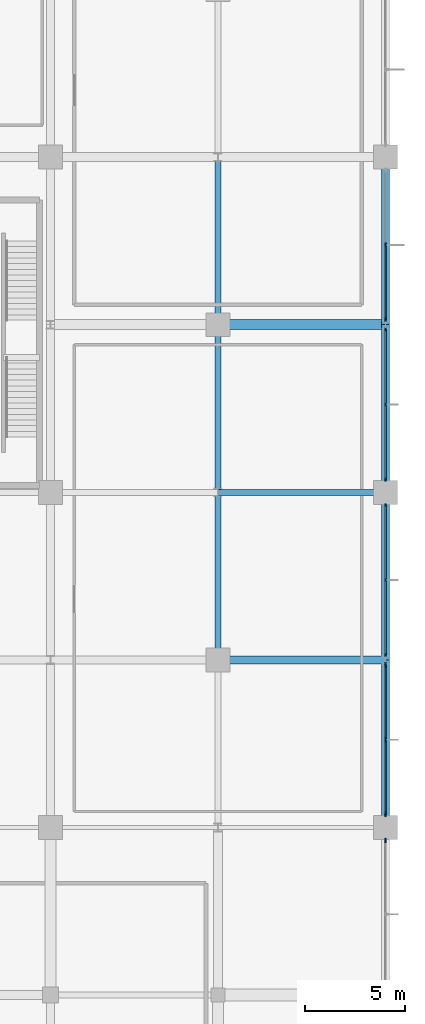
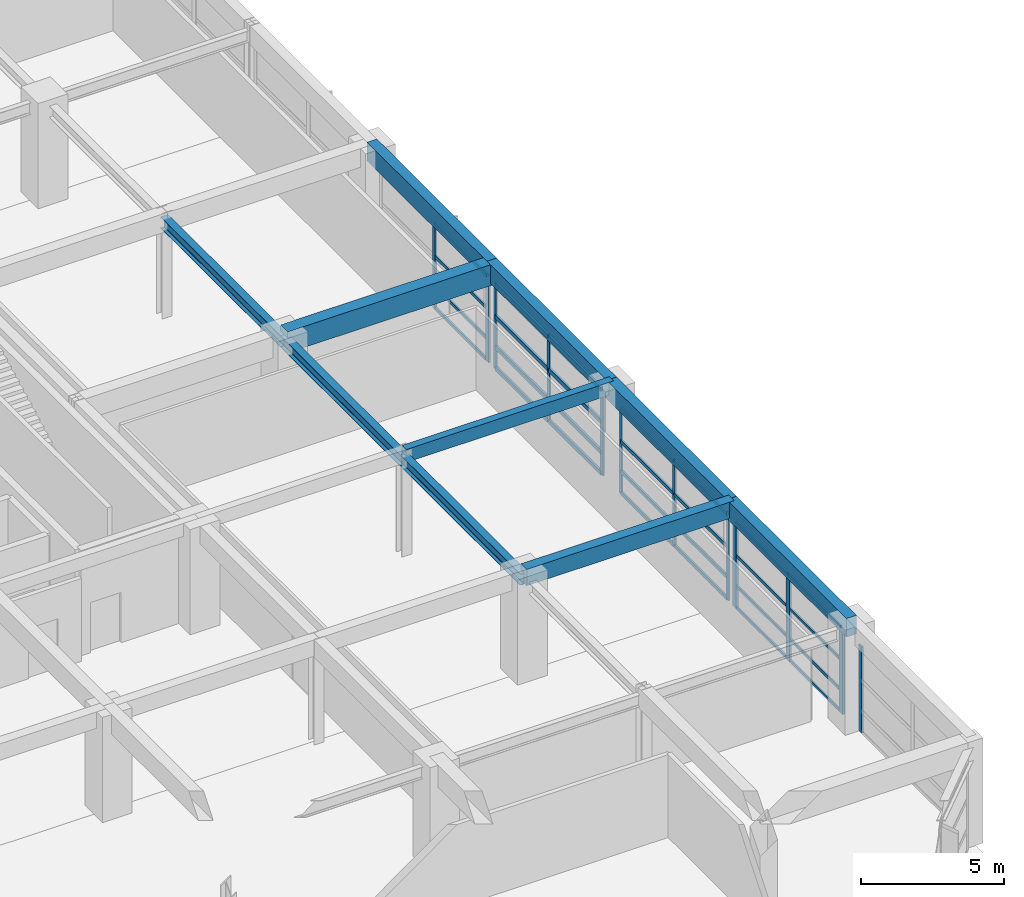
# One storey, part 31 of 60: 40 members, 10 beams, 5 elements without a shape of their own.
"""IFC4 building model written with IfcOpenShell, lengths in metres."""

from ifc_helpers import new_model, si_unit, direction, frame, origin, origin_2d, place, context, subcontext, project, spatial, rectangle, i_section, extrude, material, material_profile, profile_set, type_object, element, aggregate, save


model = new_model("IFC4")

# Units and contexts
model_context = context("Model", 3, precision=1e-05, world=origin(), true_north=direction((0.0, 1.0)))
body_context = subcontext(model_context, "Body", "Model", "MODEL_VIEW")
ifc_project = project(units=[si_unit("LENGTHUNIT", "METRE"), si_unit("AREAUNIT", "SQUARE_METRE"), si_unit("VOLUMEUNIT", "CUBIC_METRE"), si_unit("PLANEANGLEUNIT", "RADIAN"), si_unit("MASSUNIT", "GRAM", prefix="KILO")], contexts=[model_context])

# Site, building, storey
site_placement = place(None, origin())
site = spatial("IfcSite", under=ifc_project, at=site_placement, CompositionType="ELEMENT")
building_placement = place(site_placement, origin())
building = spatial("IfcBuilding", under=site, at=building_placement, Name="Xuanlan Plaza Opera House", CompositionType="ELEMENT")
storey_placement = place(building_placement, frame((0.0, 0.0, 9.89990234375)))
storey = spatial("IfcBuildingStorey", under=building, at=storey_placement, Name="L02", CompositionType="ELEMENT", Elevation=9.89990234375)

# Curtain wall, members
ifc_material_1 = material(Name="Anodised Aluminium 6063-T6 and Low-E Glass", Category="aluminium")
curtain_wall_type_1 = type_object("IfcCurtainWallType", Name="ENV-CW-CW-02", PredefinedType="USERDEFINED", material=ifc_material_1)
curtain_wall_1_placement = place(storey_placement, origin())
curtain_wall_1 = element("IfcCurtainWall", 1, at=curtain_wall_1_placement, inside=storey, type_object=curtain_wall_type_1, Name="Unitised Curtain Wall L02-022", ObjectType="UNITISED CURTAIN WALL", PredefinedType="USERDEFINED")
ifc_material_2 = material(Name="Anodised Aluminium 6063-T6", Category="aluminium")
ifc_material_profile_1 = material_profile(ifc_material_2, rectangle(XDim=0.06494140625, YDim=0.159912109375, at=origin_2d()), Name="ALU-M 65x160")
ifc_profile_set_1 = profile_set([ifc_material_profile_1], Name="Anodised Aluminium 6063-T6")
member_type_1 = type_object("IfcMemberType", Name="ENV-CWM-01", PredefinedType="MULLION", material=ifc_profile_set_1)
member_1_placement = place(storey_placement, frame((168.0, 42.259521484375, 0.0), z_axis=(0.0, 0.0, 1.0), x_axis=(-1.0, 0.0, 0.0)))
member_1 = element("IfcMember", 2, at=member_1_placement, type_object=member_type_1, Name="CW-02 mullion 1", PredefinedType="MULLION", context=body_context, shape_type="SweptSolid", body=[
    extrude(rectangle(XDim=0.06494140625, YDim=0.159912109375, at=origin_2d()), origin(), (0.0, 0.0, 1.0), 3.68017578125),
])
member_2_placement = place(storey_placement, frame((168.0, 46.00341796875, 0.0), z_axis=(0.0, 0.0, 1.0), x_axis=(-1.0, 0.0, 0.0)))
member_2 = element("IfcMember", 3, at=member_2_placement, type_object=member_type_1, Name="CW-02 mullion 2", PredefinedType="MULLION", context=body_context, shape_type="SweptSolid", body=[
    extrude(rectangle(XDim=0.06494140625, YDim=0.159912109375, at=origin_2d()), origin(), (0.0, 0.0, 1.0), 3.68017578125),
])
member_3_placement = place(storey_placement, frame((168.0, 49.74755859375, 0.0), z_axis=(0.0, 0.0, 1.0), x_axis=(-1.0, 0.0, 0.0)))
member_3 = element("IfcMember", 4, at=member_3_placement, type_object=member_type_1, Name="CW-02 mullion 3", PredefinedType="MULLION", context=body_context, shape_type="SweptSolid", body=[
    extrude(rectangle(XDim=0.06494140625, YDim=0.159912109375, at=origin_2d()), origin(), (0.0, 0.0, 1.0), 3.68017578125),
])

curtain_wall_type_2 = type_object("IfcCurtainWallType", Name="ENV-CW-CW-03", PredefinedType="USERDEFINED", material=ifc_material_1)
curtain_wall_2_placement = place(storey_placement, origin())
curtain_wall_2 = element("IfcCurtainWall", 5, at=curtain_wall_2_placement, inside=storey, type_object=curtain_wall_type_2, Name="Unitised Curtain Wall L02-023", ObjectType="UNITISED CURTAIN WALL", PredefinedType="USERDEFINED")
ifc_material_profile_2 = material_profile(ifc_material_2, rectangle(XDim=0.070068359375, YDim=0.179931640625, at=origin_2d()), Name="ALU-M 70x180")
ifc_profile_set_2 = profile_set([ifc_material_profile_2], Name="Anodised Aluminium 6063-T6")
member_type_2 = type_object("IfcMemberType", Name="ENV-CWM-02", PredefinedType="MULLION", material=ifc_profile_set_2)
member_4_placement = place(storey_placement, frame((168.0, 51.054931640625, 0.0), z_axis=(0.0, 0.0, 1.0), x_axis=(-1.0, 0.0, 0.0)))
member_4 = element("IfcMember", 6, at=member_4_placement, type_object=member_type_2, Name="CW-03 mullion 1", PredefinedType="MULLION", context=body_context, shape_type="SweptSolid", body=[
    extrude(rectangle(XDim=0.070068359375, YDim=0.179931640625, at=origin_2d()), origin(), (0.0, 0.0, 1.0), 3.68017578125),
])
member_5_placement = place(storey_placement, frame((168.0, 54.79638671875, 0.0), z_axis=(0.0, 0.0, 1.0), x_axis=(-1.0, 0.0, 0.0)))
member_5 = element("IfcMember", 7, at=member_5_placement, type_object=member_type_2, Name="CW-03 mullion 2", PredefinedType="MULLION", context=body_context, shape_type="SweptSolid", body=[
    extrude(rectangle(XDim=0.070068359375, YDim=0.179931640625, at=origin_2d()), origin(), (0.0, 0.0, 1.0), 3.68017578125),
])
member_6_placement = place(storey_placement, frame((168.0, 58.5380859375, 0.0), z_axis=(0.0, 0.0, 1.0), x_axis=(-1.0, 0.0, 0.0)))
member_6 = element("IfcMember", 8, at=member_6_placement, type_object=member_type_2, Name="CW-03 mullion 3", PredefinedType="MULLION", context=body_context, shape_type="SweptSolid", body=[
    extrude(rectangle(XDim=0.070068359375, YDim=0.179931640625, at=origin_2d()), origin(), (0.0, 0.0, 1.0), 3.68017578125),
])

curtain_wall_type_3 = type_object("IfcCurtainWallType", Name="ENV-CW-CW-04", PredefinedType="USERDEFINED", material=ifc_material_1)
curtain_wall_3_placement = place(storey_placement, origin())
curtain_wall_3 = element("IfcCurtainWall", 9, at=curtain_wall_3_placement, inside=storey, type_object=curtain_wall_type_3, Name="Unitised Curtain Wall L02-024", ObjectType="UNITISED CURTAIN WALL", PredefinedType="USERDEFINED")
ifc_material_profile_3 = material_profile(ifc_material_2, rectangle(XDim=0.074951171875, YDim=0.199951171875, at=origin_2d()), Name="ALU-M 75x200")
ifc_profile_set_3 = profile_set([ifc_material_profile_3], Name="Anodised Aluminium 6063-T6")
member_type_3 = type_object("IfcMemberType", Name="ENV-CWM-03", PredefinedType="MULLION", material=ifc_profile_set_3)
member_7_placement = place(storey_placement, frame((168.0, 59.064453125, 0.0), z_axis=(0.0, 0.0, 1.0), x_axis=(-1.0, 0.0, 0.0)))
member_7 = element("IfcMember", 10, at=member_7_placement, type_object=member_type_3, Name="CW-04 mullion 1", PredefinedType="MULLION", context=body_context, shape_type="SweptSolid", body=[
    extrude(rectangle(XDim=0.074951171875, YDim=0.199951171875, at=origin_2d()), origin(), (0.0, 0.0, 1.0), 3.68017578125),
])
member_8_placement = place(storey_placement, frame((168.0, 62.803466796875, 0.0), z_axis=(0.0, 0.0, 1.0), x_axis=(-1.0, 0.0, 0.0)))
member_8 = element("IfcMember", 11, at=member_8_placement, type_object=member_type_3, Name="CW-04 mullion 2", PredefinedType="MULLION", context=body_context, shape_type="SweptSolid", body=[
    extrude(rectangle(XDim=0.074951171875, YDim=0.199951171875, at=origin_2d()), origin(), (0.0, 0.0, 1.0), 3.68017578125),
])

# Curtain wall, member
curtain_wall_4_placement = place(storey_placement, origin())
curtain_wall_4 = element("IfcCurtainWall", 12, at=curtain_wall_4_placement, inside=storey, type_object=curtain_wall_type_3, Name="Unitised Curtain Wall L02-020", ObjectType="UNITISED CURTAIN WALL", PredefinedType="USERDEFINED")
ifc_material_profile_4 = material_profile(ifc_material_2, rectangle(XDim=0.080078125, YDim=0.219970703125, at=origin_2d()), Name="ALU-M 80x220")
ifc_profile_set_4 = profile_set([ifc_material_profile_4], Name="Anodised Aluminium 6063-T6")
member_type_4 = type_object("IfcMemberType", Name="ENV-CWM-04", PredefinedType="MULLION", material=ifc_profile_set_4)
member_9_placement = place(storey_placement, frame((168.0, 32.93994140625, 0.0), z_axis=(0.0, 0.0, 1.0), x_axis=(-1.0, 0.0, 0.0)))
member_9 = element("IfcMember", 13, at=member_9_placement, type_object=member_type_4, Name="CW-04 mullion 3", PredefinedType="MULLION", context=body_context, shape_type="SweptSolid", body=[
    extrude(rectangle(XDim=0.080078125, YDim=0.219970703125, at=origin_2d()), origin(), (0.0, 0.0, 1.0), 3.68017578125),
])
aggregate(curtain_wall_4, [member_9])

# Curtain wall, members
curtain_wall_type_4 = type_object("IfcCurtainWallType", Name="ENV-CW-CW-01", PredefinedType="USERDEFINED", material=ifc_material_1)
curtain_wall_5_placement = place(storey_placement, origin())
curtain_wall_5 = element("IfcCurtainWall", 14, at=curtain_wall_5_placement, inside=storey, type_object=curtain_wall_type_4, Name="Unitised Curtain Wall L02-021", ObjectType="UNITISED CURTAIN WALL", PredefinedType="USERDEFINED")
ifc_material_profile_5 = material_profile(ifc_material_2, rectangle(XDim=0.090087890625, YDim=0.25, at=origin_2d()), Name="ALU-M 90x250")
ifc_profile_set_5 = profile_set([ifc_material_profile_5], Name="Anodised Aluminium 6063-T6")
member_type_5 = type_object("IfcMemberType", Name="ENV-CWM-05", PredefinedType="MULLION", material=ifc_profile_set_5)
member_10_placement = place(storey_placement, frame((168.0, 34.264892578125, 0.0), z_axis=(0.0, 0.0, 1.0), x_axis=(-1.0, 0.0, 0.0)))
member_10 = element("IfcMember", 15, at=member_10_placement, type_object=member_type_5, Name="CW-01 mullion 1", PredefinedType="MULLION", context=body_context, shape_type="SweptSolid", body=[
    extrude(rectangle(XDim=0.090087890625, YDim=0.25, at=origin_2d()), origin(), (0.0, 0.0, 1.0), 3.68017578125),
])
member_11_placement = place(storey_placement, frame((168.0, 37.99658203125, 0.0), z_axis=(0.0, 0.0, 1.0), x_axis=(-1.0, 0.0, 0.0)))
member_11 = element("IfcMember", 16, at=member_11_placement, type_object=member_type_5, Name="CW-01 mullion 2", PredefinedType="MULLION", context=body_context, shape_type="SweptSolid", body=[
    extrude(rectangle(XDim=0.090087890625, YDim=0.25, at=origin_2d()), origin(), (0.0, 0.0, 1.0), 3.68017578125),
])
member_12_placement = place(storey_placement, frame((168.0, 41.72802734375, 0.0), z_axis=(0.0, 0.0, 1.0), x_axis=(-1.0, 0.0, 0.0)))
member_12 = element("IfcMember", 17, at=member_12_placement, type_object=member_type_5, Name="CW-01 mullion 3", PredefinedType="MULLION", context=body_context, shape_type="SweptSolid", body=[
    extrude(rectangle(XDim=0.090087890625, YDim=0.25, at=origin_2d()), origin(), (0.0, 0.0, 1.0), 3.68017578125),
])
ifc_material_profile_6 = material_profile(ifc_material_2, rectangle(XDim=0.06494140625, YDim=0.1201171875, at=origin_2d()), Name="ALU-T 65x120")
ifc_profile_set_6 = profile_set([ifc_material_profile_6], Name="Anodised Aluminium 6063-T6")
member_type_6 = type_object("IfcMemberType", Name="ENV-CWT-01", PredefinedType="USERDEFINED", material=ifc_profile_set_6)
member_13_placement = place(storey_placement, frame((168.0, 34.31005859375, 0.03271484375), z_axis=(0.0, 1.0, 0.0), x_axis=(-1.0, 0.0, 0.0)))
member_13 = element("IfcMember", 18, at=member_13_placement, type_object=member_type_6, Name="CW-01 transom 1.1", ObjectType="TRANSOM", PredefinedType="USERDEFINED", context=body_context, shape_type="SweptSolid", body=[
    extrude(rectangle(XDim=0.06494140625, YDim=0.1201171875, at=origin_2d()), origin(), (0.0, 0.0, 1.0), 3.641357421875),
])
member_14_placement = place(storey_placement, frame((168.0, 34.31005859375, 0.9501953125), z_axis=(0.0, 1.0, 0.0), x_axis=(-1.0, 0.0, 0.0)))
member_14 = element("IfcMember", 19, at=member_14_placement, type_object=member_type_6, Name="CW-01 transom 1.2", ObjectType="TRANSOM", PredefinedType="USERDEFINED", context=body_context, shape_type="SweptSolid", body=[
    extrude(rectangle(XDim=0.06494140625, YDim=0.1201171875, at=origin_2d()), origin(), (0.0, 0.0, 1.0), 3.641357421875),
])
member_15_placement = place(storey_placement, frame((168.0, 34.31005859375, 2.25), z_axis=(0.0, 1.0, 0.0), x_axis=(-1.0, 0.0, 0.0)))
member_15 = element("IfcMember", 20, at=member_15_placement, type_object=member_type_6, Name="CW-01 transom 1.3", ObjectType="TRANSOM", PredefinedType="USERDEFINED", context=body_context, shape_type="SweptSolid", body=[
    extrude(rectangle(XDim=0.06494140625, YDim=0.1201171875, at=origin_2d()), origin(), (0.0, 0.0, 1.0), 3.641357421875),
])
member_16_placement = place(storey_placement, frame((168.0, 34.31005859375, 3.647705078125), z_axis=(0.0, 1.0, 0.0), x_axis=(-1.0, 0.0, 0.0)))
member_16 = element("IfcMember", 21, at=member_16_placement, type_object=member_type_6, Name="CW-01 transom 1.4", ObjectType="TRANSOM", PredefinedType="USERDEFINED", context=body_context, shape_type="SweptSolid", body=[
    extrude(rectangle(XDim=0.06494140625, YDim=0.1201171875, at=origin_2d()), origin(), (0.0, 0.0, 1.0), 3.641357421875),
])
member_17_placement = place(storey_placement, frame((168.0, 38.04150390625, 0.03271484375), z_axis=(0.0, 1.0, 0.0), x_axis=(-1.0, 0.0, 0.0)))
member_17 = element("IfcMember", 22, at=member_17_placement, type_object=member_type_6, Name="CW-01 transom 2.1", ObjectType="TRANSOM", PredefinedType="USERDEFINED", context=body_context, shape_type="SweptSolid", body=[
    extrude(rectangle(XDim=0.06494140625, YDim=0.1201171875, at=origin_2d()), origin(), (0.0, 0.0, 1.0), 3.6416015625),
])
member_18_placement = place(storey_placement, frame((168.0, 38.04150390625, 0.9501953125), z_axis=(0.0, 1.0, 0.0), x_axis=(-1.0, 0.0, 0.0)))
member_18 = element("IfcMember", 23, at=member_18_placement, type_object=member_type_6, Name="CW-01 transom 2.2", ObjectType="TRANSOM", PredefinedType="USERDEFINED", context=body_context, shape_type="SweptSolid", body=[
    extrude(rectangle(XDim=0.06494140625, YDim=0.1201171875, at=origin_2d()), origin(), (0.0, 0.0, 1.0), 3.6416015625),
])
member_19_placement = place(storey_placement, frame((168.0, 38.04150390625, 2.25), z_axis=(0.0, 1.0, 0.0), x_axis=(-1.0, 0.0, 0.0)))
member_19 = element("IfcMember", 24, at=member_19_placement, type_object=member_type_6, Name="CW-01 transom 2.3", ObjectType="TRANSOM", PredefinedType="USERDEFINED", context=body_context, shape_type="SweptSolid", body=[
    extrude(rectangle(XDim=0.06494140625, YDim=0.1201171875, at=origin_2d()), origin(), (0.0, 0.0, 1.0), 3.6416015625),
])
member_20_placement = place(storey_placement, frame((168.0, 38.04150390625, 3.647705078125), z_axis=(0.0, 1.0, 0.0), x_axis=(-1.0, 0.0, 0.0)))
member_20 = element("IfcMember", 25, at=member_20_placement, type_object=member_type_6, Name="CW-01 transom 2.4", ObjectType="TRANSOM", PredefinedType="USERDEFINED", context=body_context, shape_type="SweptSolid", body=[
    extrude(rectangle(XDim=0.06494140625, YDim=0.1201171875, at=origin_2d()), origin(), (0.0, 0.0, 1.0), 3.6416015625),
])
aggregate(curtain_wall_5, [member_10, member_11, member_12, member_13, member_14, member_15, member_16, member_17, member_18, member_19, member_20])

# Member
ifc_material_profile_7 = material_profile(ifc_material_2, rectangle(XDim=0.070068359375, YDim=0.135009765625, at=origin_2d()), Name="ALU-T 70x135")
ifc_profile_set_7 = profile_set([ifc_material_profile_7], Name="Anodised Aluminium 6063-T6")
member_type_7 = type_object("IfcMemberType", Name="ENV-CWT-02", PredefinedType="USERDEFINED", material=ifc_profile_set_7)
member_21_placement = place(storey_placement, frame((168.0, 59.10205078125, 0.03515625), z_axis=(0.0, 1.0, 0.0), x_axis=(-1.0, 0.0, 0.0)))
member_21 = element("IfcMember", 26, at=member_21_placement, type_object=member_type_7, Name="CW-04 transom 1.1", ObjectType="TRANSOM", PredefinedType="USERDEFINED", context=body_context, shape_type="SweptSolid", body=[
    extrude(rectangle(XDim=0.070068359375, YDim=0.135009765625, at=origin_2d()), origin(), (0.0, 0.0, 1.0), 3.6640625),
])

member_22_placement = place(storey_placement, frame((168.0, 59.10205078125, 0.9501953125), z_axis=(0.0, 1.0, 0.0), x_axis=(-1.0, 0.0, 0.0)))
member_22 = element("IfcMember", 27, at=member_22_placement, type_object=member_type_7, Name="CW-04 transom 1.2", ObjectType="TRANSOM", PredefinedType="USERDEFINED", context=body_context, shape_type="SweptSolid", body=[
    extrude(rectangle(XDim=0.070068359375, YDim=0.135009765625, at=origin_2d()), origin(), (0.0, 0.0, 1.0), 3.6640625),
])

member_23_placement = place(storey_placement, frame((168.0, 59.10205078125, 2.25), z_axis=(0.0, 1.0, 0.0), x_axis=(-1.0, 0.0, 0.0)))
member_23 = element("IfcMember", 28, at=member_23_placement, type_object=member_type_7, Name="CW-04 transom 1.3", ObjectType="TRANSOM", PredefinedType="USERDEFINED", context=body_context, shape_type="SweptSolid", body=[
    extrude(rectangle(XDim=0.070068359375, YDim=0.135009765625, at=origin_2d()), origin(), (0.0, 0.0, 1.0), 3.6640625),
])

member_24_placement = place(storey_placement, frame((168.0, 59.10205078125, 3.64501953125), z_axis=(0.0, 1.0, 0.0), x_axis=(-1.0, 0.0, 0.0)))
member_24 = element("IfcMember", 29, at=member_24_placement, type_object=member_type_7, Name="CW-04 transom 1.4", ObjectType="TRANSOM", PredefinedType="USERDEFINED", context=body_context, shape_type="SweptSolid", body=[
    extrude(rectangle(XDim=0.070068359375, YDim=0.135009765625, at=origin_2d()), origin(), (0.0, 0.0, 1.0), 3.6640625),
])

aggregate(curtain_wall_3, [member_7, member_8, member_21, member_22, member_23, member_24])

ifc_material_profile_8 = material_profile(ifc_material_2, rectangle(XDim=0.074951171875, YDim=0.14990234375, at=origin_2d()), Name="ALU-T 75x150")
ifc_profile_set_8 = profile_set([ifc_material_profile_8], Name="Anodised Aluminium 6063-T6")
member_type_8 = type_object("IfcMemberType", Name="ENV-CWT-03", PredefinedType="USERDEFINED", material=ifc_profile_set_8)
member_25_placement = place(storey_placement, frame((168.0, 42.2919921875, 0.03759765625), z_axis=(0.0, 1.0, 0.0), x_axis=(-1.0, 0.0, 0.0)))
member_25 = element("IfcMember", 30, at=member_25_placement, type_object=member_type_8, Name="CW-02 transom 1.1", ObjectType="TRANSOM", PredefinedType="USERDEFINED", context=body_context, shape_type="SweptSolid", body=[
    extrude(rectangle(XDim=0.074951171875, YDim=0.14990234375, at=origin_2d()), origin(), (0.0, 0.0, 1.0), 3.678955078125),
])

member_26_placement = place(storey_placement, frame((168.0, 42.2919921875, 0.9501953125), z_axis=(0.0, 1.0, 0.0), x_axis=(-1.0, 0.0, 0.0)))
member_26 = element("IfcMember", 31, at=member_26_placement, type_object=member_type_8, Name="CW-02 transom 1.2", ObjectType="TRANSOM", PredefinedType="USERDEFINED", context=body_context, shape_type="SweptSolid", body=[
    extrude(rectangle(XDim=0.074951171875, YDim=0.14990234375, at=origin_2d()), origin(), (0.0, 0.0, 1.0), 3.678955078125),
])

member_27_placement = place(storey_placement, frame((168.0, 42.2919921875, 2.25), z_axis=(0.0, 1.0, 0.0), x_axis=(-1.0, 0.0, 0.0)))
member_27 = element("IfcMember", 32, at=member_27_placement, type_object=member_type_8, Name="CW-02 transom 1.3", ObjectType="TRANSOM", PredefinedType="USERDEFINED", context=body_context, shape_type="SweptSolid", body=[
    extrude(rectangle(XDim=0.074951171875, YDim=0.14990234375, at=origin_2d()), origin(), (0.0, 0.0, 1.0), 3.678955078125),
])

member_28_placement = place(storey_placement, frame((168.0, 42.2919921875, 3.642578125), z_axis=(0.0, 1.0, 0.0), x_axis=(-1.0, 0.0, 0.0)))
member_28 = element("IfcMember", 33, at=member_28_placement, type_object=member_type_8, Name="CW-02 transom 1.4", ObjectType="TRANSOM", PredefinedType="USERDEFINED", context=body_context, shape_type="SweptSolid", body=[
    extrude(rectangle(XDim=0.074951171875, YDim=0.14990234375, at=origin_2d()), origin(), (0.0, 0.0, 1.0), 3.678955078125),
])

member_29_placement = place(storey_placement, frame((168.0, 46.035888671875, 0.03759765625), z_axis=(0.0, 1.0, 0.0), x_axis=(-1.0, 0.0, 0.0)))
member_29 = element("IfcMember", 34, at=member_29_placement, type_object=member_type_8, Name="CW-02 transom 2.1", ObjectType="TRANSOM", PredefinedType="USERDEFINED", context=body_context, shape_type="SweptSolid", body=[
    extrude(rectangle(XDim=0.074951171875, YDim=0.14990234375, at=origin_2d()), origin(), (0.0, 0.0, 1.0), 3.67919921875),
])

member_30_placement = place(storey_placement, frame((168.0, 46.035888671875, 0.9501953125), z_axis=(0.0, 1.0, 0.0), x_axis=(-1.0, 0.0, 0.0)))
member_30 = element("IfcMember", 35, at=member_30_placement, type_object=member_type_8, Name="CW-02 transom 2.2", ObjectType="TRANSOM", PredefinedType="USERDEFINED", context=body_context, shape_type="SweptSolid", body=[
    extrude(rectangle(XDim=0.074951171875, YDim=0.14990234375, at=origin_2d()), origin(), (0.0, 0.0, 1.0), 3.67919921875),
])

member_31_placement = place(storey_placement, frame((168.0, 46.035888671875, 2.25), z_axis=(0.0, 1.0, 0.0), x_axis=(-1.0, 0.0, 0.0)))
member_31 = element("IfcMember", 36, at=member_31_placement, type_object=member_type_8, Name="CW-02 transom 2.3", ObjectType="TRANSOM", PredefinedType="USERDEFINED", context=body_context, shape_type="SweptSolid", body=[
    extrude(rectangle(XDim=0.074951171875, YDim=0.14990234375, at=origin_2d()), origin(), (0.0, 0.0, 1.0), 3.67919921875),
])

member_32_placement = place(storey_placement, frame((168.0, 46.035888671875, 3.642578125), z_axis=(0.0, 1.0, 0.0), x_axis=(-1.0, 0.0, 0.0)))
member_32 = element("IfcMember", 37, at=member_32_placement, type_object=member_type_8, Name="CW-02 transom 2.4", ObjectType="TRANSOM", PredefinedType="USERDEFINED", context=body_context, shape_type="SweptSolid", body=[
    extrude(rectangle(XDim=0.074951171875, YDim=0.14990234375, at=origin_2d()), origin(), (0.0, 0.0, 1.0), 3.67919921875),
])

aggregate(curtain_wall_1, [member_1, member_2, member_3, member_25, member_26, member_27, member_28, member_29, member_30, member_31, member_32])

ifc_material_profile_9 = material_profile(ifc_material_2, rectangle(XDim=0.090087890625, YDim=0.179931640625, at=origin_2d()), Name="ALU-T 90x180")
ifc_profile_set_9 = profile_set([ifc_material_profile_9], Name="Anodised Aluminium 6063-T6")
member_type_9 = type_object("IfcMemberType", Name="ENV-CWT-05", PredefinedType="USERDEFINED", material=ifc_profile_set_9)
member_33_placement = place(storey_placement, frame((168.0, 51.090087890625, 0.045166015625), z_axis=(0.0, 1.0, 0.0), x_axis=(-1.0, 0.0, 0.0)))
member_33 = element("IfcMember", 38, at=member_33_placement, type_object=member_type_9, Name="CW-03 transom 1.1", ObjectType="TRANSOM", PredefinedType="USERDEFINED", context=body_context, shape_type="SweptSolid", body=[
    extrude(rectangle(XDim=0.090087890625, YDim=0.179931640625, at=origin_2d()), origin(), (0.0, 0.0, 1.0), 3.67138671875),
])

member_34_placement = place(storey_placement, frame((168.0, 51.090087890625, 0.9501953125), z_axis=(0.0, 1.0, 0.0), x_axis=(-1.0, 0.0, 0.0)))
member_34 = element("IfcMember", 39, at=member_34_placement, type_object=member_type_9, Name="CW-03 transom 1.2", ObjectType="TRANSOM", PredefinedType="USERDEFINED", context=body_context, shape_type="SweptSolid", body=[
    extrude(rectangle(XDim=0.090087890625, YDim=0.179931640625, at=origin_2d()), origin(), (0.0, 0.0, 1.0), 3.67138671875),
])

member_35_placement = place(storey_placement, frame((168.0, 51.090087890625, 2.25), z_axis=(0.0, 1.0, 0.0), x_axis=(-1.0, 0.0, 0.0)))
member_35 = element("IfcMember", 40, at=member_35_placement, type_object=member_type_9, Name="CW-03 transom 1.3", ObjectType="TRANSOM", PredefinedType="USERDEFINED", context=body_context, shape_type="SweptSolid", body=[
    extrude(rectangle(XDim=0.090087890625, YDim=0.179931640625, at=origin_2d()), origin(), (0.0, 0.0, 1.0), 3.67138671875),
])

member_36_placement = place(storey_placement, frame((168.0, 51.090087890625, 3.635009765625), z_axis=(0.0, 1.0, 0.0), x_axis=(-1.0, 0.0, 0.0)))
member_36 = element("IfcMember", 41, at=member_36_placement, type_object=member_type_9, Name="CW-03 transom 1.4", ObjectType="TRANSOM", PredefinedType="USERDEFINED", context=body_context, shape_type="SweptSolid", body=[
    extrude(rectangle(XDim=0.090087890625, YDim=0.179931640625, at=origin_2d()), origin(), (0.0, 0.0, 1.0), 3.67138671875),
])

member_37_placement = place(storey_placement, frame((168.0, 54.83154296875, 0.045166015625), z_axis=(0.0, 1.0, 0.0), x_axis=(-1.0, 0.0, 0.0)))
member_37 = element("IfcMember", 42, at=member_37_placement, type_object=member_type_9, Name="CW-03 transom 2.1", ObjectType="TRANSOM", PredefinedType="USERDEFINED", context=body_context, shape_type="SweptSolid", body=[
    extrude(rectangle(XDim=0.090087890625, YDim=0.179931640625, at=origin_2d()), origin(), (0.0, 0.0, 1.0), 3.67138671875),
])

member_38_placement = place(storey_placement, frame((168.0, 54.83154296875, 0.9501953125), z_axis=(0.0, 1.0, 0.0), x_axis=(-1.0, 0.0, 0.0)))
member_38 = element("IfcMember", 43, at=member_38_placement, type_object=member_type_9, Name="CW-03 transom 2.2", ObjectType="TRANSOM", PredefinedType="USERDEFINED", context=body_context, shape_type="SweptSolid", body=[
    extrude(rectangle(XDim=0.090087890625, YDim=0.179931640625, at=origin_2d()), origin(), (0.0, 0.0, 1.0), 3.67138671875),
])

member_39_placement = place(storey_placement, frame((168.0, 54.83154296875, 2.25), z_axis=(0.0, 1.0, 0.0), x_axis=(-1.0, 0.0, 0.0)))
member_39 = element("IfcMember", 44, at=member_39_placement, type_object=member_type_9, Name="CW-03 transom 2.3", ObjectType="TRANSOM", PredefinedType="USERDEFINED", context=body_context, shape_type="SweptSolid", body=[
    extrude(rectangle(XDim=0.090087890625, YDim=0.179931640625, at=origin_2d()), origin(), (0.0, 0.0, 1.0), 3.67138671875),
])

member_40_placement = place(storey_placement, frame((168.0, 54.83154296875, 3.635009765625), z_axis=(0.0, 1.0, 0.0), x_axis=(-1.0, 0.0, 0.0)))
member_40 = element("IfcMember", 45, at=member_40_placement, type_object=member_type_9, Name="CW-03 transom 2.4", ObjectType="TRANSOM", PredefinedType="USERDEFINED", context=body_context, shape_type="SweptSolid", body=[
    extrude(rectangle(XDim=0.090087890625, YDim=0.179931640625, at=origin_2d()), origin(), (0.0, 0.0, 1.0), 3.67138671875),
])

aggregate(curtain_wall_2, [member_4, member_5, member_6, member_33, member_34, member_35, member_36, member_37, member_38, member_39, member_40])

# Beams
ifc_material_3 = material(Name="Concrete C40", Category="concrete")
ifc_material_profile_10 = material_profile(ifc_material_3, rectangle(XDim=0.5, YDim=0.89990234375, at=origin_2d()), Name="RC-BM 500x900")
ifc_profile_set_10 = profile_set([ifc_material_profile_10], Name="Concrete C40")
beam_type_1 = type_object("IfcBeamType", Name="STR-BM-B-03", PredefinedType="BEAM", material=ifc_profile_set_10)
beam_1_placement = place(storey_placement, frame((159.60009765625, 58.800048828125, 4.050048828125), z_axis=(1.0, 0.0, 0.0), x_axis=(0.0, 1.0, 0.0)))
element("IfcBeam", 46, at=beam_1_placement, inside=storey, type_object=beam_type_1, Name="Grid Beam X L02 20-21/H", PredefinedType="BEAM", context=body_context, shape_type="SweptSolid", body=[
    extrude(rectangle(XDim=0.5, YDim=0.89990234375, at=origin_2d()), origin(), (0.0, 0.0, 1.0), 8.39990234375),
])
ifc_material_profile_11 = material_profile(ifc_material_3, rectangle(XDim=0.39990234375, YDim=0.699951171875, at=origin_2d()), Name="RC-BM 400x700")
ifc_profile_set_11 = profile_set([ifc_material_profile_11], Name="Concrete C40")
beam_type_2 = type_object("IfcBeamType", Name="STR-BM-B-07", PredefinedType="BEAM", material=ifc_profile_set_11)
beam_2_placement = place(storey_placement, frame((159.60009765625, 42.0, 4.150146484375), z_axis=(1.0, 0.0, 0.0), x_axis=(0.0, 1.0, 0.0)))
element("IfcBeam", 47, at=beam_2_placement, inside=storey, type_object=beam_type_2, Name="Grid Beam X L02 20-21/F", PredefinedType="BEAM", context=body_context, shape_type="SweptSolid", body=[
    extrude(rectangle(XDim=0.39990234375, YDim=0.699951171875, at=origin_2d()), origin(), (0.0, 0.0, 1.0), 8.39990234375),
])
ifc_material_profile_12 = material_profile(ifc_material_3, rectangle(XDim=0.300048828125, YDim=0.550048828125, at=origin_2d()), Name="RC-BM 300x550")
ifc_profile_set_12 = profile_set([ifc_material_profile_12], Name="Concrete C40")
beam_type_3 = type_object("IfcBeamType", Name="STR-BM-B-09", PredefinedType="BEAM", material=ifc_profile_set_12)
beam_3_placement = place(storey_placement, frame((159.60009765625, 50.39990234375, 4.22509765625), z_axis=(1.0, 0.0, 0.0), x_axis=(0.0, 1.0, 0.0)))
element("IfcBeam", 48, at=beam_3_placement, inside=storey, type_object=beam_type_3, Name="Grid Beam X L02 20-21/G", PredefinedType="BEAM", context=body_context, shape_type="SweptSolid", body=[
    extrude(rectangle(XDim=0.300048828125, YDim=0.550048828125, at=origin_2d()), origin(), (0.0, 0.0, 1.0), 8.39990234375),
])
ifc_material_4 = material(Name="Steel Q355B", Category="steel")
ifc_material_profile_13 = material_profile(ifc_material_4, i_section(OverallWidth=0.300048828125, OverallDepth=0.488037109375, WebThickness=0.010986328125, FlangeThickness=0.01806640625, FilletRadius=0.02197265625, at=origin_2d()), Name="HM 488x300x11x18")
ifc_profile_set_13 = profile_set([ifc_material_profile_13], Name="Steel Q355B")
beam_type_4 = type_object("IfcBeamType", Name="STR-BM-SB-07", PredefinedType="BEAM", material=ifc_profile_set_13)
beam_4_placement = place(storey_placement, frame((159.60009765625, 42.0, 3.9912109375), z_axis=(0.0, 1.0, 0.0), x_axis=(-1.0, 0.0, 0.0)))
element("IfcBeam", 49, at=beam_4_placement, inside=storey, type_object=beam_type_4, Name="Grid Beam Y L02 20/F-G", PredefinedType="BEAM", context=body_context, shape_type="SweptSolid", body=[
    extrude(i_section(OverallWidth=0.300048828125, OverallDepth=0.488037109375, WebThickness=0.010986328125, FlangeThickness=0.01806640625, FilletRadius=0.02197265625, at=origin_2d()), origin(), (0.0, 0.0, 1.0), 8.39990234375),
])
beam_5_placement = place(storey_placement, frame((159.60009765625, 50.39990234375, 3.9912109375), z_axis=(0.0, 1.0, 0.0), x_axis=(-1.0, 0.0, 0.0)))
element("IfcBeam", 50, at=beam_5_placement, inside=storey, type_object=beam_type_4, Name="Grid Beam Y L02 20/G-H", PredefinedType="BEAM", context=body_context, shape_type="SweptSolid", body=[
    extrude(i_section(OverallWidth=0.300048828125, OverallDepth=0.488037109375, WebThickness=0.010986328125, FlangeThickness=0.01806640625, FilletRadius=0.02197265625, at=origin_2d()), origin(), (0.0, 0.0, 1.0), 8.400146484375),
])
beam_6_placement = place(storey_placement, frame((159.60009765625, 58.800048828125, 3.9912109375), z_axis=(0.0, 1.0, 0.0), x_axis=(-1.0, 0.0, 0.0)))
element("IfcBeam", 51, at=beam_6_placement, inside=storey, type_object=beam_type_4, Name="Grid Beam Y L02 20/H-I", PredefinedType="BEAM", context=body_context, shape_type="SweptSolid", body=[
    extrude(i_section(OverallWidth=0.300048828125, OverallDepth=0.488037109375, WebThickness=0.010986328125, FlangeThickness=0.01806640625, FilletRadius=0.02197265625, at=origin_2d()), origin(), (0.0, 0.0, 1.0), 8.39990234375),
])
ifc_material_profile_14 = material_profile(ifc_material_3, rectangle(XDim=0.39990234375, YDim=0.800048828125, at=origin_2d()), Name="RC-SPD 400x800")
ifc_profile_set_14 = profile_set([ifc_material_profile_14], Name="Concrete C40")
beam_type_5 = type_object("IfcBeamType", Name="STR-BM-SP-01", PredefinedType="SPANDREL", material=ifc_profile_set_14)
for number, where, z_axis, x_axis, name in (
    (52, (168.0, 33.60009765625, 4.10009765625), (0.0, 1.0, 0.0), (-1.0, 0.0, 0.0), "Grid Beam Y L02 21/E-F"),
    (53, (168.0, 42.0, 4.10009765625), (0.0, 1.0, 0.0), (-1.0, 0.0, 0.0), "Grid Beam Y L02 21/F-G"),
):
    element("IfcBeam", number, at=place(storey_placement, frame(where, z_axis=z_axis, x_axis=x_axis)), inside=storey, type_object=beam_type_5, Name=name, PredefinedType="SPANDREL", context=body_context, shape_type="SweptSolid", body=[
        extrude(rectangle(XDim=0.39990234375, YDim=0.800048828125, at=origin_2d()), origin(), (0.0, 0.0, 1.0), 8.39990234375),
    ])
beam_7_placement = place(storey_placement, frame((168.0, 50.39990234375, 4.10009765625), z_axis=(0.0, 1.0, 0.0), x_axis=(-1.0, 0.0, 0.0)))
element("IfcBeam", 54, at=beam_7_placement, inside=storey, type_object=beam_type_5, Name="Grid Beam Y L02 21/G-H", PredefinedType="SPANDREL", context=body_context, shape_type="SweptSolid", body=[
    extrude(rectangle(XDim=0.39990234375, YDim=0.800048828125, at=origin_2d()), origin(), (0.0, 0.0, 1.0), 8.400146484375),
])
beam_8_placement = place(storey_placement, frame((168.0, 58.800048828125, 4.10009765625), z_axis=(0.0, 1.0, 0.0), x_axis=(-1.0, 0.0, 0.0)))
element("IfcBeam", 55, at=beam_8_placement, inside=storey, type_object=beam_type_5, Name="Grid Beam Y L02 21/H-I", PredefinedType="SPANDREL", context=body_context, shape_type="SweptSolid", body=[
    extrude(rectangle(XDim=0.39990234375, YDim=0.800048828125, at=origin_2d()), origin(), (0.0, 0.0, 1.0), 8.39990234375),
])

save(model, "model.ifc")
